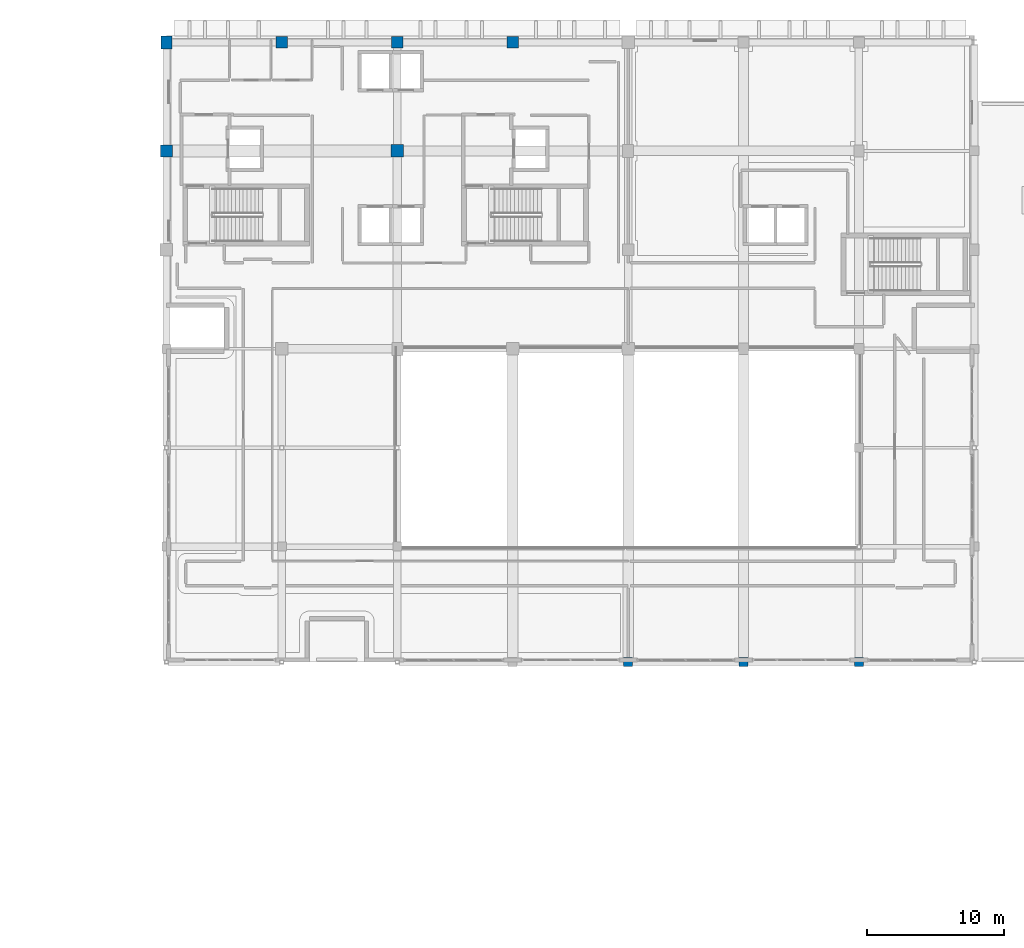
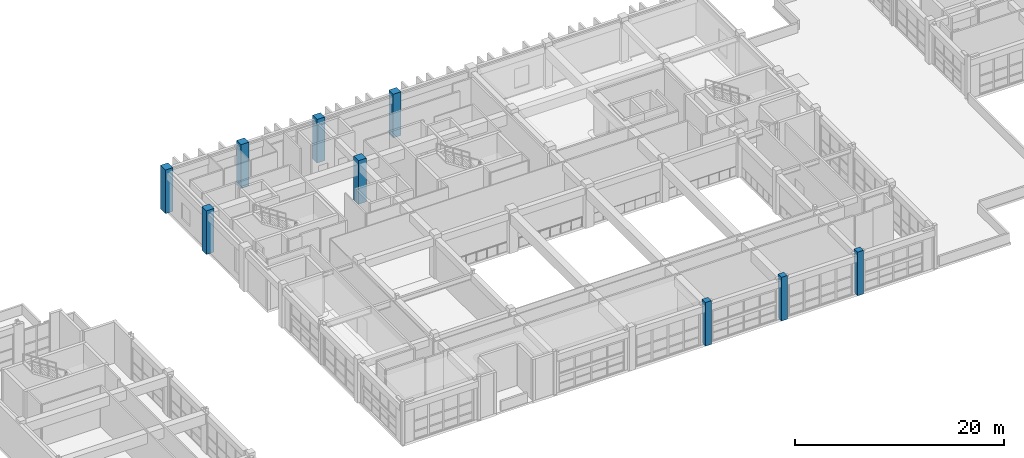
# One storey, part 7 of 78: 9 columns.
"""IFC4 building model written with IfcOpenShell, lengths in metres."""

from ifc_helpers import new_model, si_unit, direction, frame, origin, origin_2d, place, context, subcontext, project, spatial, rectangle, extrude, material, material_profile, profile_set, type_object, element, save


model = new_model("IFC4")

# Units and contexts
model_context = context("Model", 3, precision=1e-05, world=origin(), true_north=direction((0.0, 1.0)))
body_context = subcontext(model_context, "Body", "Model", "MODEL_VIEW")
ifc_project = project(units=[si_unit("LENGTHUNIT", "METRE"), si_unit("AREAUNIT", "SQUARE_METRE"), si_unit("VOLUMEUNIT", "CUBIC_METRE"), si_unit("PLANEANGLEUNIT", "RADIAN"), si_unit("MASSUNIT", "GRAM", prefix="KILO")], contexts=[model_context])

# Site, building, storey
site_placement = place(None, origin())
site = spatial("IfcSite", under=ifc_project, at=site_placement, CompositionType="ELEMENT")
building_placement = place(site_placement, origin())
building = spatial("IfcBuilding", under=site, at=building_placement, Name="Quendrovan Civic Courthouse", CompositionType="ELEMENT")
storey_placement = place(building_placement, frame((0.0, 0.0, 10.199951171875)))
storey = spatial("IfcBuildingStorey", under=building, at=storey_placement, Name="L03", CompositionType="ELEMENT", Elevation=10.199951171875)

# Columns
ifc_material = material(Name="Concrete C45/55", Category="concrete")
ifc_material_profile_1 = material_profile(ifc_material, rectangle(XDim=0.800048828125, YDim=0.949951171875, at=origin_2d()), Name="RC-COL-800x950")
ifc_profile_set_1 = profile_set([ifc_material_profile_1], Name="Concrete C45/55")
column_type_1 = type_object("IfcColumnType", Name="COL-RC-800x950", PredefinedType="COLUMN", material=ifc_profile_set_1)
column_1_placement = place(storey_placement, frame((33.60009765625, 109.89990234375, 0.0), z_axis=(0.0, 0.0, 1.0), x_axis=(1.0, 0.0, 0.0)))
element("IfcColumn", 1, at=column_1_placement, inside=storey, type_object=column_type_1, Name="L03 Column 5-Q", PredefinedType="COLUMN", context=body_context, shape_type="SweptSolid", body=[
    extrude(rectangle(XDim=0.800048828125, YDim=0.949951171875, at=origin_2d()), origin(), (0.0, 0.0, 1.0), 5.10009765625),
])
ifc_material_profile_2 = material_profile(ifc_material, rectangle(XDim=0.64990234375, YDim=0.64990234375, at=origin_2d()), Name="RC-COL-650x650")
ifc_profile_set_2 = profile_set([ifc_material_profile_2], Name="Concrete C45/55")
column_type_2 = type_object("IfcColumnType", Name="COL-RC650", PredefinedType="COLUMN", material=ifc_profile_set_2)
for number, where, z_axis, x_axis, name in (
    (2, (67.199951171875, 64.800048828125, 0.0), (0.0, 0.0, 1.0), (1.0, 0.0, 0.0), "L03 Column 9-J"),
    (3, (75.60009765625, 64.800048828125, 0.0), (0.0, 0.0, 1.0), (1.0, 0.0, 0.0), "L03 Column 10-J"),
    (4, (84.0, 64.800048828125, 0.0), (0.0, 0.0, 1.0), (1.0, 0.0, 0.0), "L03 Column 11-J"),
):
    element("IfcColumn", number, at=place(storey_placement, frame(where, z_axis=z_axis, x_axis=x_axis)), inside=storey, type_object=column_type_2, Name=name, PredefinedType="COLUMN", context=body_context, shape_type="SweptSolid", body=[
        extrude(rectangle(XDim=0.64990234375, YDim=0.64990234375, at=origin_2d()), origin(), (0.0, 0.0, 1.0), 5.10009765625),
    ])
ifc_material_profile_3 = material_profile(ifc_material, rectangle(XDim=0.85009765625, YDim=0.85009765625, at=origin_2d()), Name="RC-COL-850x850")
ifc_profile_set_3 = profile_set([ifc_material_profile_3], Name="Concrete C45/55")
column_type_3 = type_object("IfcColumnType", Name="COL-RC850", PredefinedType="COLUMN", material=ifc_profile_set_3)
for number, where, z_axis, x_axis, name in (
    (5, (33.60009765625, 102.0, 0.0), (0.0, 0.0, 1.0), (1.0, 0.0, 0.0), "L03 Column 5-P"),
    (6, (42.0, 109.89990234375, 0.0), (0.0, 0.0, 1.0), (1.0, 0.0, 0.0), "L03 Column 6-Q"),
    (7, (50.39990234375, 109.89990234375, 0.0), (0.0, 0.0, 1.0), (1.0, 0.0, 0.0), "L03 Column 7-Q"),
    (8, (58.800048828125, 109.89990234375, 0.0), (0.0, 0.0, 1.0), (1.0, 0.0, 0.0), "L03 Column 8-Q"),
):
    element("IfcColumn", number, at=place(storey_placement, frame(where, z_axis=z_axis, x_axis=x_axis)), inside=storey, type_object=column_type_3, Name=name, PredefinedType="COLUMN", context=body_context, shape_type="SweptSolid", body=[
        extrude(rectangle(XDim=0.85009765625, YDim=0.85009765625, at=origin_2d()), origin(), (0.0, 0.0, 1.0), 5.10009765625),
    ])
ifc_material_profile_4 = material_profile(ifc_material, rectangle(XDim=0.89990234375, YDim=0.89990234375, at=origin_2d()), Name="RC-COL-900x900")
ifc_profile_set_4 = profile_set([ifc_material_profile_4], Name="Concrete C45/55")
column_type_4 = type_object("IfcColumnType", Name="COL-RC900", PredefinedType="COLUMN", material=ifc_profile_set_4)
column_2_placement = place(storey_placement, frame((50.39990234375, 102.0, 0.0), z_axis=(0.0, 0.0, 1.0), x_axis=(1.0, 0.0, 0.0)))
element("IfcColumn", 9, at=column_2_placement, inside=storey, type_object=column_type_4, Name="L03 Column 7-P", PredefinedType="COLUMN", context=body_context, shape_type="SweptSolid", body=[
    extrude(rectangle(XDim=0.89990234375, YDim=0.89990234375, at=origin_2d()), origin(), (0.0, 0.0, 1.0), 5.10009765625),
])

save(model, "model.ifc")
